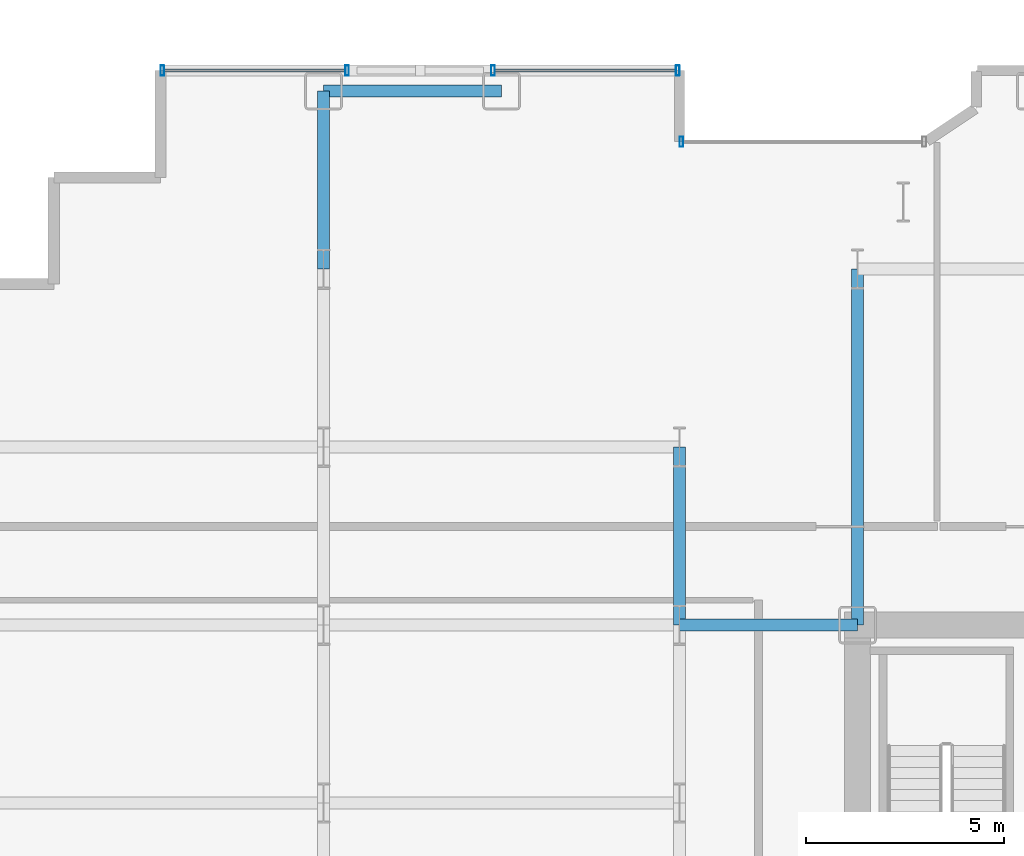
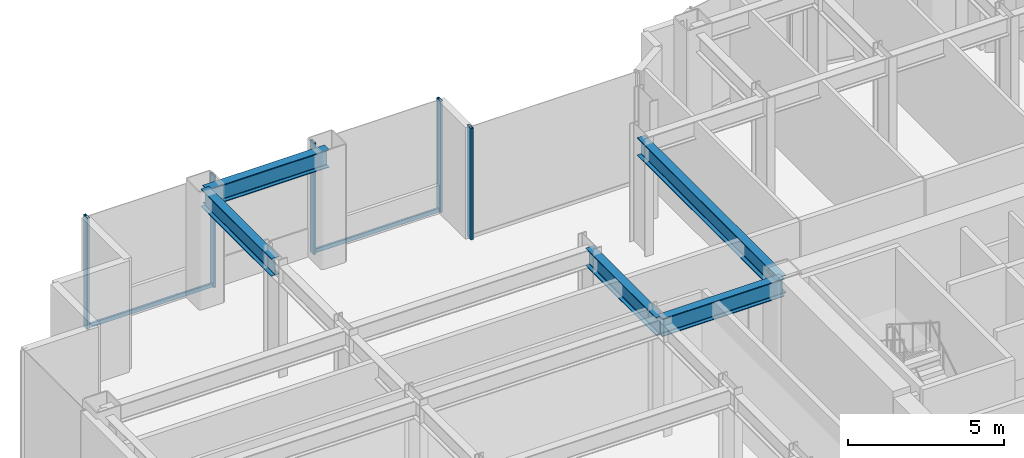
# One storey, part 12 of 30: 7 members, 5 beams, 3 elements without a shape of their own.
"""IFC4 building model written with IfcOpenShell, lengths in metres."""

from ifc_helpers import new_model, si_unit, direction, frame, origin, origin_2d, place, context, subcontext, project, spatial, hollow_rectangle, i_section, extrude, source, transform, mapped, material, layer, layer_set, material_profile, profile_set, type_object, element, aggregate, save


model = new_model("IFC4")

# Units and contexts
model_context = context("Model", 3, precision=1e-05, world=origin(), true_north=direction((0.0, 1.0)))
body_context = subcontext(model_context, "Body", "Model", "MODEL_VIEW")
ifc_project = project(units=[si_unit("LENGTHUNIT", "METRE"), si_unit("AREAUNIT", "SQUARE_METRE"), si_unit("VOLUMEUNIT", "CUBIC_METRE"), si_unit("PLANEANGLEUNIT", "RADIAN"), si_unit("MASSUNIT", "GRAM", prefix="KILO")], contexts=[model_context])

# Site, building, storey
site_placement = place(None, origin())
site = spatial("IfcSite", under=ifc_project, at=site_placement, CompositionType="ELEMENT")
building_placement = place(site_placement, origin())
building = spatial("IfcBuilding", under=site, at=building_placement, Name="Nefas-Gora Pilgrimage Tower", CompositionType="ELEMENT")
storey_placement = place(building_placement, frame((0.0, 0.0, 86.199951171875)))
storey = spatial("IfcBuildingStorey", under=building, at=storey_placement, Name="L20", CompositionType="ELEMENT", Elevation=86.199951171875)

# Beams
ifc_material_1 = material(Name="Steel S355", Category="steel")
ifc_material_profile_1 = material_profile(ifc_material_1, i_section(OverallWidth=0.300048828125, OverallDepth=0.699951171875, WebThickness=0.01708984375, FlangeThickness=0.031982421875, FilletRadius=0.027099609375, at=origin_2d()), Name="HEB 700")
ifc_profile_set_1 = profile_set([ifc_material_profile_1], Name="Steel S355")
beam_type_1 = type_object("IfcBeamType", Name="BM-SPN-HEB600", PredefinedType="SPANDREL", material=ifc_profile_set_1)
shared_shape_1 = source(origin(), body_context, "Body", "SweptSolid", [
    extrude(i_section(OverallWidth=0.300048828125, OverallDepth=0.699951171875, WebThickness=0.01708984375, FlangeThickness=0.031982421875, FilletRadius=0.027099609375, at=origin_2d()), origin(), (0.0, 0.0, 1.0), 4.5),
])
beam_1_placement = place(storey_placement, frame((-24.75, 22.5, 4.0), z_axis=(1.0, 0.0, 0.0), x_axis=(0.0, 1.0, 0.0)))
element("IfcBeam", 1, at=beam_1_placement, inside=storey, type_object=beam_type_1, Name="L20 SP-01 beam", PredefinedType="SPANDREL", context=body_context, shape_type="MappedRepresentation", body=[
    mapped(shared_shape_1, transform((0.0, 0.0, 0.0), x_axis=(1.0, 0.0, 0.0), y_axis=(0.0, 1.0, 0.0), z_axis=(0.0, 0.0, 1.0), scale=1.0)),
])
ifc_material_profile_2 = material_profile(ifc_material_1, i_section(OverallWidth=0.300048828125, OverallDepth=0.699951171875, WebThickness=0.01708984375, FlangeThickness=0.031982421875, FilletRadius=0.027099609375, at=origin_2d()), Name="HEB 700")
ifc_profile_set_2 = profile_set([ifc_material_profile_2], Name="Steel S355")
beam_type_2 = type_object("IfcBeamType", Name="BM-GIR-HEB700", PredefinedType="BEAM", material=ifc_profile_set_2)
shared_shape_2 = source(origin(), body_context, "Body", "SweptSolid", [
    extrude(i_section(OverallWidth=0.300048828125, OverallDepth=0.699951171875, WebThickness=0.01708984375, FlangeThickness=0.031982421875, FilletRadius=0.027099609375, at=origin_2d()), origin(), (0.0, 0.0, 1.0), 9.0),
])
beam_2_placement = place(storey_placement, frame((-11.25, 9.0, 4.0), z_axis=(0.0, 1.0, 0.0), x_axis=(-1.0, 0.0, 0.0)))
element("IfcBeam", 2, at=beam_2_placement, inside=storey, type_object=beam_type_2, Name="L20 G-02 beam", PredefinedType="BEAM", context=body_context, shape_type="MappedRepresentation", body=[
    mapped(shared_shape_2, transform((0.0, 0.0, 0.0), x_axis=(1.0, 0.0, 0.0), y_axis=(0.0, 1.0, 0.0), z_axis=(0.0, 0.0, 1.0), scale=1.0)),
])
shared_shape_3 = source(origin(), body_context, "Body", "SweptSolid", [
    extrude(i_section(OverallWidth=0.300048828125, OverallDepth=0.699951171875, WebThickness=0.01708984375, FlangeThickness=0.031982421875, FilletRadius=0.027099609375, at=origin_2d()), origin(), (0.0, 0.0, 1.0), 4.5),
])
for number, where, z_axis, x_axis, name in (
    (3, (-24.75, 18.0, 4.0), (0.0, 1.0, 0.0), (-1.0, 0.0, 0.0), "L20 G-02 beam"),
    (4, (-15.75, 9.0, 4.0), (0.0, 1.0, 0.0), (-1.0, 0.0, 0.0), "L20 G-02 beam"),
    (5, (-15.75, 9.0, 4.0), (1.0, 0.0, 0.0), (0.0, 1.0, 0.0), "L20 G-02 beam"),
):
    element("IfcBeam", number, at=place(storey_placement, frame(where, z_axis=z_axis, x_axis=x_axis)), inside=storey, type_object=beam_type_2, Name=name, PredefinedType="BEAM", context=body_context, shape_type="MappedRepresentation", body=[
        mapped(shared_shape_3, transform((0.0, 0.0, 0.0), x_axis=(1.0, 0.0, 0.0), y_axis=(0.0, 1.0, 0.0), z_axis=(0.0, 0.0, 1.0), scale=1.0)),
    ])

# Curtain wall, member
ifc_material_2 = material(Name="Dark ceramic-fritted solar-control aluminium-glass curtain wall", Category="aluminium")
ifc_layer_1 = layer(ifc_material_2, 0.219970703125)
ifc_layer_set_1 = layer_set([ifc_layer_1], Name="Dark ceramic-fritted solar-control aluminium-glass curtain wall")
curtain_wall_type_1 = type_object("IfcCurtainWallType", Name="CW-SYS-5", PredefinedType="NOTDEFINED", material=ifc_layer_set_1)
curtain_wall_1_placement = place(storey_placement, origin())
curtain_wall_1 = element("IfcCurtainWall", 6, at=curtain_wall_1_placement, inside=storey, type_object=curtain_wall_type_1, Name="L20 Unitised Curtain Wall CW5", PredefinedType="NOTDEFINED")
ifc_material_3 = material(Name="Anodised architectural aluminium", Category="aluminium")
ifc_material_profile_3 = material_profile(ifc_material_3, hollow_rectangle(XDim=0.090087890625, YDim=0.260009765625, WallThickness=0.006103515625, InnerFilletRadius=0.006103515625, OuterFilletRadius=0.011962890625, at=origin_2d()), Name="ALU MULLION 90x260")
ifc_profile_set_3 = profile_set([ifc_material_profile_3], Name="Anodised architectural aluminium")
member_type_1 = type_object("IfcMemberType", Name="CWM-MUL-5", PredefinedType="MULLION", material=ifc_profile_set_3)
shared_shape_4 = source(origin(), body_context, "Body", "SweptSolid", [
    extrude(hollow_rectangle(XDim=0.090087890625, YDim=0.260009765625, WallThickness=0.006103515625, InnerFilletRadius=0.006103515625, OuterFilletRadius=0.011962890625, at=origin_2d()), origin(), (0.0, 0.0, 1.0), 4.35009765625),
])
member_1_placement = place(storey_placement, frame((-15.705078125, 21.219970703125, 0.0), z_axis=(0.0, 0.0, 1.0), x_axis=(-1.0, 0.0, 0.0)))
member_1 = element("IfcMember", 7, at=member_1_placement, type_object=member_type_1, Name="CW5 Mullion 2", PredefinedType="MULLION", context=body_context, shape_type="MappedRepresentation", body=[
    mapped(shared_shape_4, transform((0.0, 0.0, 0.0), x_axis=(1.0, 0.0, 0.0), y_axis=(0.0, 1.0, 0.0), z_axis=(0.0, 0.0, 1.0), scale=1.0)),
])
aggregate(curtain_wall_1, [member_1])

# Curtain wall, members
ifc_layer_2 = layer(ifc_material_2, 0.219970703125)
ifc_layer_set_2 = layer_set([ifc_layer_2], Name="Dark ceramic-fritted solar-control aluminium-glass curtain wall")
curtain_wall_type_2 = type_object("IfcCurtainWallType", Name="CW-SYS-2", PredefinedType="NOTDEFINED", material=ifc_layer_set_2)
curtain_wall_2_placement = place(storey_placement, origin())
curtain_wall_2 = element("IfcCurtainWall", 8, at=curtain_wall_2_placement, inside=storey, type_object=curtain_wall_type_2, Name="L20 Unitised Curtain Wall CW2", PredefinedType="NOTDEFINED")
ifc_material_profile_4 = material_profile(ifc_material_3, hollow_rectangle(XDim=0.090087890625, YDim=0.260009765625, WallThickness=0.006103515625, InnerFilletRadius=0.006103515625, OuterFilletRadius=0.011962890625, at=origin_2d()), Name="ALU MULLION 90x260")
ifc_profile_set_4 = profile_set([ifc_material_profile_4], Name="Anodised architectural aluminium")
member_type_2 = type_object("IfcMemberType", Name="CWM-MUL-2", PredefinedType="MULLION", material=ifc_profile_set_4)
shared_shape_5 = source(origin(), body_context, "Body", "SweptSolid", [
    extrude(hollow_rectangle(XDim=0.090087890625, YDim=0.260009765625, WallThickness=0.006103515625, InnerFilletRadius=0.006103515625, OuterFilletRadius=0.011962890625, at=origin_2d()), origin(), (0.0, 0.0, 1.0), 4.35009765625),
])
member_2_placement = place(storey_placement, frame((-15.794921875, 23.02001953125, 0.0), z_axis=(0.0, 0.0, 1.0), x_axis=(-1.0, 0.0, 0.0)))
member_2 = element("IfcMember", 9, at=member_2_placement, type_object=member_type_2, Name="CW2 Mullion 1", PredefinedType="MULLION", context=body_context, shape_type="MappedRepresentation", body=[
    mapped(shared_shape_5, transform((0.0, 0.0, 0.0), x_axis=(1.0, 0.0, 0.0), y_axis=(0.0, 1.0, 0.0), z_axis=(0.0, 0.0, 1.0), scale=1.0)),
])
member_3_placement = place(storey_placement, frame((-20.465087890625, 23.02001953125, 0.0), z_axis=(0.0, 0.0, 1.0), x_axis=(-1.0, 0.0, 0.0)))
member_3 = element("IfcMember", 10, at=member_3_placement, type_object=member_type_2, Name="CW2 Mullion 2", PredefinedType="MULLION", context=body_context, shape_type="MappedRepresentation", body=[
    mapped(shared_shape_5, transform((0.0, 0.0, 0.0), x_axis=(1.0, 0.0, 0.0), y_axis=(0.0, 1.0, 0.0), z_axis=(0.0, 0.0, 1.0), scale=1.0)),
])

curtain_wall_3_placement = place(storey_placement, origin())
curtain_wall_3 = element("IfcCurtainWall", 11, at=curtain_wall_3_placement, inside=storey, type_object=curtain_wall_type_2, Name="L20 Unitised Curtain Wall CW2", PredefinedType="NOTDEFINED")
member_4_placement = place(storey_placement, frame((-24.155029296875, 23.02001953125, 0.0), z_axis=(0.0, 0.0, 1.0), x_axis=(-1.0, 0.0, 0.0)))
member_4 = element("IfcMember", 12, at=member_4_placement, type_object=member_type_2, Name="CW2 Mullion 1", PredefinedType="MULLION", context=body_context, shape_type="MappedRepresentation", body=[
    mapped(shared_shape_5, transform((0.0, 0.0, 0.0), x_axis=(1.0, 0.0, 0.0), y_axis=(0.0, 1.0, 0.0), z_axis=(0.0, 0.0, 1.0), scale=1.0)),
])
member_5_placement = place(storey_placement, frame((-28.824951171875, 23.02001953125, 0.0), z_axis=(0.0, 0.0, 1.0), x_axis=(-1.0, 0.0, 0.0)))
member_5 = element("IfcMember", 13, at=member_5_placement, type_object=member_type_2, Name="CW2 Mullion 2", PredefinedType="MULLION", context=body_context, shape_type="MappedRepresentation", body=[
    mapped(shared_shape_5, transform((0.0, 0.0, 0.0), x_axis=(1.0, 0.0, 0.0), y_axis=(0.0, 1.0, 0.0), z_axis=(0.0, 0.0, 1.0), scale=1.0)),
])

# Member
ifc_material_profile_5 = material_profile(ifc_material_3, hollow_rectangle(XDim=0.080078125, YDim=0.159912109375, WallThickness=0.00439453125, InnerFilletRadius=0.00439453125, OuterFilletRadius=0.009033203125, at=origin_2d()), Name="ALU TRANSOM 80x160")
ifc_profile_set_5 = profile_set([ifc_material_profile_5], Name="Anodised architectural aluminium")
member_type_3 = type_object("IfcMemberType", Name="CWM-TRN-2", PredefinedType="USERDEFINED", material=ifc_profile_set_5)
shared_shape_6 = source(origin(), body_context, "Body", "SweptSolid", [
    extrude(hollow_rectangle(XDim=0.080078125, YDim=0.159912109375, WallThickness=0.00439453125, InnerFilletRadius=0.00439453125, OuterFilletRadius=0.009033203125, at=origin_2d()), origin(), (0.0, 0.0, 1.0), 4.579833984375),
])
member_6_placement = place(storey_placement, frame((-15.840087890625, 23.02001953125, 0.050048828125), z_axis=(-1.0, 0.0, 0.0), x_axis=(0.0, -1.0, 0.0)))
member_6 = element("IfcMember", 14, at=member_6_placement, type_object=member_type_3, Name="CW2 Spandrel Transom", ObjectType="TRANSOM", PredefinedType="USERDEFINED", context=body_context, shape_type="MappedRepresentation", body=[
    mapped(shared_shape_6, transform((0.0, 0.0, 0.0), x_axis=(1.0, 0.0, 0.0), y_axis=(0.0, 1.0, 0.0), z_axis=(0.0, 0.0, 1.0), scale=1.0)),
])

aggregate(curtain_wall_2, [member_2, member_3, member_6])

shared_shape_7 = source(origin(), body_context, "Body", "SweptSolid", [
    extrude(hollow_rectangle(XDim=0.080078125, YDim=0.159912109375, WallThickness=0.00439453125, InnerFilletRadius=0.00439453125, OuterFilletRadius=0.009033203125, at=origin_2d()), origin(), (0.0, 0.0, 1.0), 4.580078125),
])
member_7_placement = place(storey_placement, frame((-24.199951171875, 23.02001953125, 0.050048828125), z_axis=(-1.0, 0.0, 0.0), x_axis=(0.0, -1.0, 0.0)))
member_7 = element("IfcMember", 15, at=member_7_placement, type_object=member_type_3, Name="CW2 Spandrel Transom", ObjectType="TRANSOM", PredefinedType="USERDEFINED", context=body_context, shape_type="MappedRepresentation", body=[
    mapped(shared_shape_7, transform((0.0, 0.0, 0.0), x_axis=(1.0, 0.0, 0.0), y_axis=(0.0, 1.0, 0.0), z_axis=(0.0, 0.0, 1.0), scale=1.0)),
])

aggregate(curtain_wall_3, [member_4, member_5, member_7])

save(model, "model.ifc")
